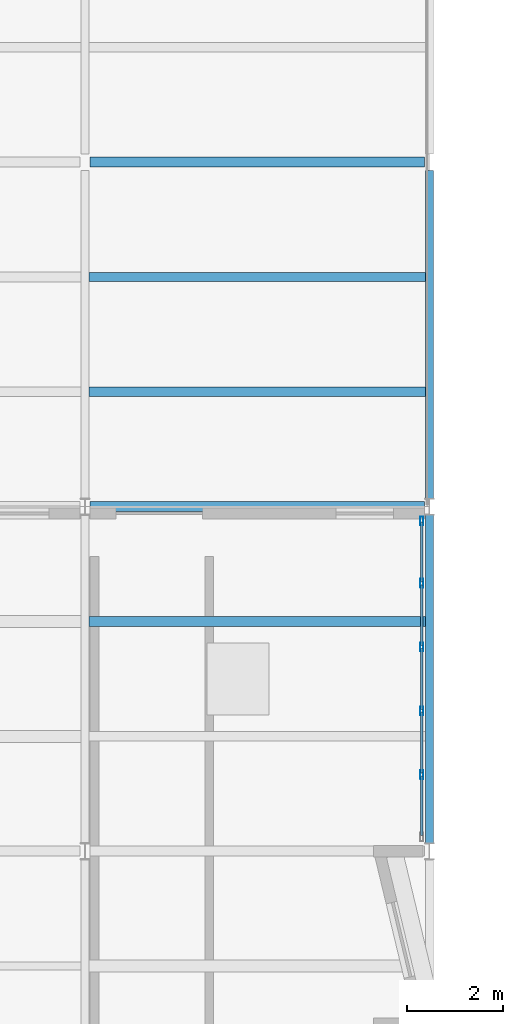
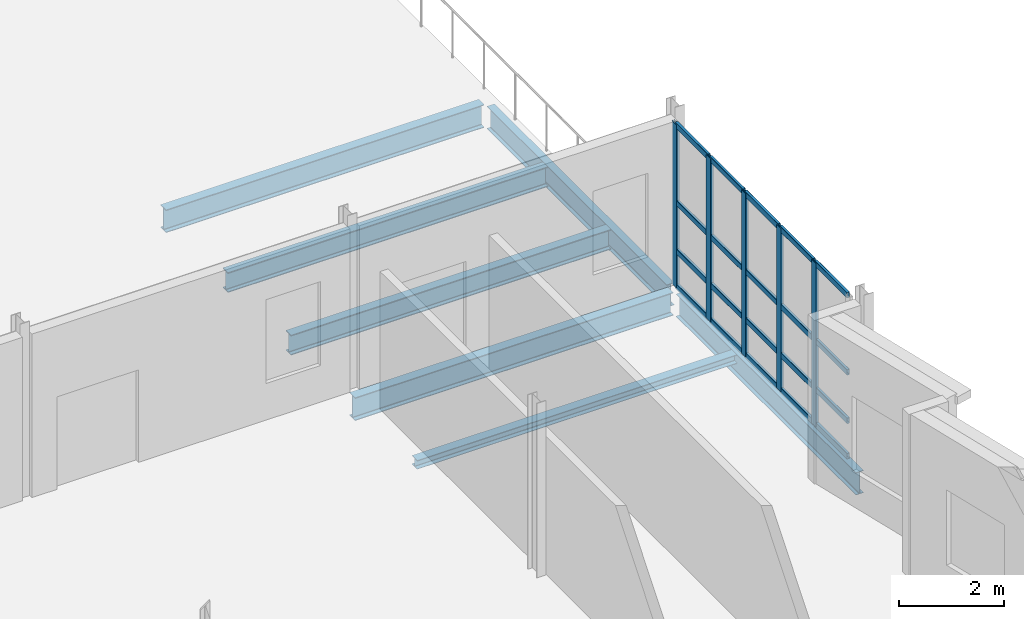
# One storey, part 18 of 33: 25 members, 7 beams, 1 element without a shape of its own.
"""IFC4 building model written with IfcOpenShell, lengths in metres."""

from ifc_helpers import new_model, si_unit, direction, frame, origin, origin_2d, place, context, subcontext, project, spatial, hollow_rectangle, i_section, extrude, material, material_profile, profile_set, type_object, element, aggregate, save


model = new_model("IFC4")

# Units and contexts
model_context = context("Model", 3, precision=1e-05, world=origin(), true_north=direction((0.0, 1.0)))
body_context = subcontext(model_context, "Body", "Model", "MODEL_VIEW")
ifc_project = project(units=[si_unit("LENGTHUNIT", "METRE"), si_unit("AREAUNIT", "SQUARE_METRE"), si_unit("VOLUMEUNIT", "CUBIC_METRE"), si_unit("PLANEANGLEUNIT", "RADIAN"), si_unit("MASSUNIT", "GRAM", prefix="KILO")], contexts=[model_context])

# Site, building, storey
site_placement = place(None, origin())
site = spatial("IfcSite", under=ifc_project, at=site_placement, CompositionType="ELEMENT")
building_placement = place(site_placement, origin())
building = spatial("IfcBuilding", under=site, at=building_placement, Name="Kalmorath City Hall", CompositionType="ELEMENT")
storey_placement = place(building_placement, frame((0.0, 0.0, 22.949951171875)))
storey = spatial("IfcBuildingStorey", under=building, at=storey_placement, Name="L05", CompositionType="ELEMENT", Elevation=22.949951171875)

# Curtain wall, members
ifc_material_1 = material(Name="Anodised aluminium and laminated glass", Category="aluminium")
curtain_wall_type = type_object("IfcCurtainWallType", Name="Unitised hurricane curtain wall 6670x3800 M1450", PredefinedType="NOTDEFINED", material=ifc_material_1)
curtain_wall_placement = place(storey_placement, origin())
curtain_wall = element("IfcCurtainWall", 1, at=curtain_wall_placement, inside=storey, type_object=curtain_wall_type, Name="L05 curtain wall CW-67X38M14 #170", PredefinedType="NOTDEFINED")
ifc_material_2 = material(Name="Anodised aluminium framing", Category="aluminium")
ifc_material_profile_1 = material_profile(ifc_material_2, hollow_rectangle(XDim=0.06494140625, YDim=0.179931640625, WallThickness=0.00390625, InnerFilletRadius=0.00390625, OuterFilletRadius=0.008056640625, at=origin_2d()), Name="ALU-MUL-180X65X4")
ifc_profile_set_1 = profile_set([ifc_material_profile_1], Name="Anodised aluminium framing")
member_type_1 = type_object("IfcMemberType", Name="Curtain-wall courtyard mullion 180x65", PredefinedType="MULLION", material=ifc_profile_set_1)
member_1_placement = place(storey_placement, frame((21.43994140625, 86.1025390625, 0.0), z_axis=(0.0, 0.0, 1.0), x_axis=(1.0, 0.0, 0.0)))
member_1 = element("IfcMember", 2, at=member_1_placement, type_object=member_type_1, Name="CW-67X38M14 mullion 1", PredefinedType="MULLION", context=body_context, shape_type="SweptSolid", body=[
    extrude(hollow_rectangle(XDim=0.06494140625, YDim=0.179931640625, WallThickness=0.00390625, InnerFilletRadius=0.00390625, OuterFilletRadius=0.008056640625, at=origin_2d()), origin(), (0.0, 0.0, 1.0), 3.800048828125),
])
member_2_placement = place(storey_placement, frame((21.43994140625, 84.801025390625, 0.0), z_axis=(0.0, 0.0, 1.0), x_axis=(1.0, 0.0, 0.0)))
member_2 = element("IfcMember", 3, at=member_2_placement, type_object=member_type_1, Name="CW-67X38M14 mullion 2", PredefinedType="MULLION", context=body_context, shape_type="SweptSolid", body=[
    extrude(hollow_rectangle(XDim=0.06494140625, YDim=0.179931640625, WallThickness=0.00390625, InnerFilletRadius=0.00390625, OuterFilletRadius=0.008056640625, at=origin_2d()), origin(), (0.0, 0.0, 1.0), 3.800048828125),
])
member_3_placement = place(storey_placement, frame((21.43994140625, 83.467041015625, 0.0), z_axis=(0.0, 0.0, 1.0), x_axis=(1.0, 0.0, 0.0)))
member_3 = element("IfcMember", 4, at=member_3_placement, type_object=member_type_1, Name="CW-67X38M14 mullion 3", PredefinedType="MULLION", context=body_context, shape_type="SweptSolid", body=[
    extrude(hollow_rectangle(XDim=0.06494140625, YDim=0.179931640625, WallThickness=0.00390625, InnerFilletRadius=0.00390625, OuterFilletRadius=0.008056640625, at=origin_2d()), origin(), (0.0, 0.0, 1.0), 3.800048828125),
])
member_4_placement = place(storey_placement, frame((21.43994140625, 82.133056640625, 0.0), z_axis=(0.0, 0.0, 1.0), x_axis=(1.0, 0.0, 0.0)))
member_4 = element("IfcMember", 5, at=member_4_placement, type_object=member_type_1, Name="CW-67X38M14 mullion 4", PredefinedType="MULLION", context=body_context, shape_type="SweptSolid", body=[
    extrude(hollow_rectangle(XDim=0.06494140625, YDim=0.179931640625, WallThickness=0.00390625, InnerFilletRadius=0.00390625, OuterFilletRadius=0.008056640625, at=origin_2d()), origin(), (0.0, 0.0, 1.0), 3.800048828125),
])
member_5_placement = place(storey_placement, frame((21.43994140625, 80.799072265625, 0.0), z_axis=(0.0, 0.0, 1.0), x_axis=(1.0, 0.0, 0.0)))
member_5 = element("IfcMember", 6, at=member_5_placement, type_object=member_type_1, Name="CW-67X38M14 mullion 5", PredefinedType="MULLION", context=body_context, shape_type="SweptSolid", body=[
    extrude(hollow_rectangle(XDim=0.06494140625, YDim=0.179931640625, WallThickness=0.00390625, InnerFilletRadius=0.00390625, OuterFilletRadius=0.008056640625, at=origin_2d()), origin(), (0.0, 0.0, 1.0), 3.800048828125),
])
ifc_material_3 = material(Name="Anodised aluminium framing", Category="aluminium")
ifc_material_profile_2 = material_profile(ifc_material_3, hollow_rectangle(XDim=0.06005859375, YDim=0.1298828125, WallThickness=0.00341796875, InnerFilletRadius=0.00341796875, OuterFilletRadius=0.007080078125, at=origin_2d()), Name="ALU-TRN-130X60X3.5")
ifc_profile_set_2 = profile_set([ifc_material_profile_2], Name="Anodised aluminium framing")
member_type_2 = type_object("IfcMemberType", Name="Curtain-wall courtyard transom 130x60", PredefinedType="USERDEFINED", material=ifc_profile_set_2)
member_6_placement = place(storey_placement, frame((21.43994140625, 86.070068359375, 0.030029296875), z_axis=(0.0, -1.0, 0.0), x_axis=(1.0, 0.0, 0.0)))
member_6 = element("IfcMember", 7, at=member_6_placement, type_object=member_type_2, Name="CW-67X38M14 transom 1.1", ObjectType="TRANSOM", PredefinedType="USERDEFINED", context=body_context, shape_type="SweptSolid", body=[
    extrude(hollow_rectangle(XDim=0.06005859375, YDim=0.1298828125, WallThickness=0.00341796875, InnerFilletRadius=0.00341796875, OuterFilletRadius=0.007080078125, at=origin_2d()), origin(), (0.0, 0.0, 1.0), 1.236572265625),
])
member_7_placement = place(storey_placement, frame((21.43994140625, 86.070068359375, 0.85009765625), z_axis=(0.0, -1.0, 0.0), x_axis=(1.0, 0.0, 0.0)))
member_7 = element("IfcMember", 8, at=member_7_placement, type_object=member_type_2, Name="CW-67X38M14 transom 1.2", ObjectType="TRANSOM", PredefinedType="USERDEFINED", context=body_context, shape_type="SweptSolid", body=[
    extrude(hollow_rectangle(XDim=0.06005859375, YDim=0.1298828125, WallThickness=0.00341796875, InnerFilletRadius=0.00341796875, OuterFilletRadius=0.007080078125, at=origin_2d()), origin(), (0.0, 0.0, 1.0), 1.236572265625),
])
member_8_placement = place(storey_placement, frame((21.43994140625, 86.070068359375, 1.97607421875), z_axis=(0.0, -1.0, 0.0), x_axis=(1.0, 0.0, 0.0)))
member_8 = element("IfcMember", 9, at=member_8_placement, type_object=member_type_2, Name="CW-67X38M14 transom 1.3", ObjectType="TRANSOM", PredefinedType="USERDEFINED", context=body_context, shape_type="SweptSolid", body=[
    extrude(hollow_rectangle(XDim=0.06005859375, YDim=0.1298828125, WallThickness=0.00341796875, InnerFilletRadius=0.00341796875, OuterFilletRadius=0.007080078125, at=origin_2d()), origin(), (0.0, 0.0, 1.0), 1.236572265625),
])
member_9_placement = place(storey_placement, frame((21.43994140625, 86.070068359375, 3.77001953125), z_axis=(0.0, -1.0, 0.0), x_axis=(1.0, 0.0, 0.0)))
member_9 = element("IfcMember", 10, at=member_9_placement, type_object=member_type_2, Name="CW-67X38M14 transom 1.4", ObjectType="TRANSOM", PredefinedType="USERDEFINED", context=body_context, shape_type="SweptSolid", body=[
    extrude(hollow_rectangle(XDim=0.06005859375, YDim=0.1298828125, WallThickness=0.00341796875, InnerFilletRadius=0.00341796875, OuterFilletRadius=0.007080078125, at=origin_2d()), origin(), (0.0, 0.0, 1.0), 1.236572265625),
])
member_10_placement = place(storey_placement, frame((21.43994140625, 84.7685546875, 0.030029296875), z_axis=(0.0, -1.0, 0.0), x_axis=(1.0, 0.0, 0.0)))
member_10 = element("IfcMember", 11, at=member_10_placement, type_object=member_type_2, Name="CW-67X38M14 transom 2.1", ObjectType="TRANSOM", PredefinedType="USERDEFINED", context=body_context, shape_type="SweptSolid", body=[
    extrude(hollow_rectangle(XDim=0.06005859375, YDim=0.1298828125, WallThickness=0.00341796875, InnerFilletRadius=0.00341796875, OuterFilletRadius=0.007080078125, at=origin_2d()), origin(), (0.0, 0.0, 1.0), 1.26904296875),
])
member_11_placement = place(storey_placement, frame((21.43994140625, 84.7685546875, 0.85009765625), z_axis=(0.0, -1.0, 0.0), x_axis=(1.0, 0.0, 0.0)))
member_11 = element("IfcMember", 12, at=member_11_placement, type_object=member_type_2, Name="CW-67X38M14 transom 2.2", ObjectType="TRANSOM", PredefinedType="USERDEFINED", context=body_context, shape_type="SweptSolid", body=[
    extrude(hollow_rectangle(XDim=0.06005859375, YDim=0.1298828125, WallThickness=0.00341796875, InnerFilletRadius=0.00341796875, OuterFilletRadius=0.007080078125, at=origin_2d()), origin(), (0.0, 0.0, 1.0), 1.26904296875),
])
member_12_placement = place(storey_placement, frame((21.43994140625, 84.7685546875, 1.97607421875), z_axis=(0.0, -1.0, 0.0), x_axis=(1.0, 0.0, 0.0)))
member_12 = element("IfcMember", 13, at=member_12_placement, type_object=member_type_2, Name="CW-67X38M14 transom 2.3", ObjectType="TRANSOM", PredefinedType="USERDEFINED", context=body_context, shape_type="SweptSolid", body=[
    extrude(hollow_rectangle(XDim=0.06005859375, YDim=0.1298828125, WallThickness=0.00341796875, InnerFilletRadius=0.00341796875, OuterFilletRadius=0.007080078125, at=origin_2d()), origin(), (0.0, 0.0, 1.0), 1.26904296875),
])
member_13_placement = place(storey_placement, frame((21.43994140625, 84.7685546875, 3.77001953125), z_axis=(0.0, -1.0, 0.0), x_axis=(1.0, 0.0, 0.0)))
member_13 = element("IfcMember", 14, at=member_13_placement, type_object=member_type_2, Name="CW-67X38M14 transom 2.4", ObjectType="TRANSOM", PredefinedType="USERDEFINED", context=body_context, shape_type="SweptSolid", body=[
    extrude(hollow_rectangle(XDim=0.06005859375, YDim=0.1298828125, WallThickness=0.00341796875, InnerFilletRadius=0.00341796875, OuterFilletRadius=0.007080078125, at=origin_2d()), origin(), (0.0, 0.0, 1.0), 1.26904296875),
])
member_14_placement = place(storey_placement, frame((21.43994140625, 83.4345703125, 0.030029296875), z_axis=(0.0, -1.0, 0.0), x_axis=(1.0, 0.0, 0.0)))
member_14 = element("IfcMember", 15, at=member_14_placement, type_object=member_type_2, Name="CW-67X38M14 transom 3.1", ObjectType="TRANSOM", PredefinedType="USERDEFINED", context=body_context, shape_type="SweptSolid", body=[
    extrude(hollow_rectangle(XDim=0.06005859375, YDim=0.1298828125, WallThickness=0.00341796875, InnerFilletRadius=0.00341796875, OuterFilletRadius=0.007080078125, at=origin_2d()), origin(), (0.0, 0.0, 1.0), 1.26904296875),
])
member_15_placement = place(storey_placement, frame((21.43994140625, 83.4345703125, 0.85009765625), z_axis=(0.0, -1.0, 0.0), x_axis=(1.0, 0.0, 0.0)))
member_15 = element("IfcMember", 16, at=member_15_placement, type_object=member_type_2, Name="CW-67X38M14 transom 3.2", ObjectType="TRANSOM", PredefinedType="USERDEFINED", context=body_context, shape_type="SweptSolid", body=[
    extrude(hollow_rectangle(XDim=0.06005859375, YDim=0.1298828125, WallThickness=0.00341796875, InnerFilletRadius=0.00341796875, OuterFilletRadius=0.007080078125, at=origin_2d()), origin(), (0.0, 0.0, 1.0), 1.26904296875),
])
member_16_placement = place(storey_placement, frame((21.43994140625, 83.4345703125, 1.97607421875), z_axis=(0.0, -1.0, 0.0), x_axis=(1.0, 0.0, 0.0)))
member_16 = element("IfcMember", 17, at=member_16_placement, type_object=member_type_2, Name="CW-67X38M14 transom 3.3", ObjectType="TRANSOM", PredefinedType="USERDEFINED", context=body_context, shape_type="SweptSolid", body=[
    extrude(hollow_rectangle(XDim=0.06005859375, YDim=0.1298828125, WallThickness=0.00341796875, InnerFilletRadius=0.00341796875, OuterFilletRadius=0.007080078125, at=origin_2d()), origin(), (0.0, 0.0, 1.0), 1.26904296875),
])
member_17_placement = place(storey_placement, frame((21.43994140625, 83.4345703125, 3.77001953125), z_axis=(0.0, -1.0, 0.0), x_axis=(1.0, 0.0, 0.0)))
member_17 = element("IfcMember", 18, at=member_17_placement, type_object=member_type_2, Name="CW-67X38M14 transom 3.4", ObjectType="TRANSOM", PredefinedType="USERDEFINED", context=body_context, shape_type="SweptSolid", body=[
    extrude(hollow_rectangle(XDim=0.06005859375, YDim=0.1298828125, WallThickness=0.00341796875, InnerFilletRadius=0.00341796875, OuterFilletRadius=0.007080078125, at=origin_2d()), origin(), (0.0, 0.0, 1.0), 1.26904296875),
])
member_18_placement = place(storey_placement, frame((21.43994140625, 82.1005859375, 0.030029296875), z_axis=(0.0, -1.0, 0.0), x_axis=(1.0, 0.0, 0.0)))
member_18 = element("IfcMember", 19, at=member_18_placement, type_object=member_type_2, Name="CW-67X38M14 transom 4.1", ObjectType="TRANSOM", PredefinedType="USERDEFINED", context=body_context, shape_type="SweptSolid", body=[
    extrude(hollow_rectangle(XDim=0.06005859375, YDim=0.1298828125, WallThickness=0.00341796875, InnerFilletRadius=0.00341796875, OuterFilletRadius=0.007080078125, at=origin_2d()), origin(), (0.0, 0.0, 1.0), 1.26904296875),
])
member_19_placement = place(storey_placement, frame((21.43994140625, 82.1005859375, 0.85009765625), z_axis=(0.0, -1.0, 0.0), x_axis=(1.0, 0.0, 0.0)))
member_19 = element("IfcMember", 20, at=member_19_placement, type_object=member_type_2, Name="CW-67X38M14 transom 4.2", ObjectType="TRANSOM", PredefinedType="USERDEFINED", context=body_context, shape_type="SweptSolid", body=[
    extrude(hollow_rectangle(XDim=0.06005859375, YDim=0.1298828125, WallThickness=0.00341796875, InnerFilletRadius=0.00341796875, OuterFilletRadius=0.007080078125, at=origin_2d()), origin(), (0.0, 0.0, 1.0), 1.26904296875),
])
member_20_placement = place(storey_placement, frame((21.43994140625, 82.1005859375, 1.97607421875), z_axis=(0.0, -1.0, 0.0), x_axis=(1.0, 0.0, 0.0)))
member_20 = element("IfcMember", 21, at=member_20_placement, type_object=member_type_2, Name="CW-67X38M14 transom 4.3", ObjectType="TRANSOM", PredefinedType="USERDEFINED", context=body_context, shape_type="SweptSolid", body=[
    extrude(hollow_rectangle(XDim=0.06005859375, YDim=0.1298828125, WallThickness=0.00341796875, InnerFilletRadius=0.00341796875, OuterFilletRadius=0.007080078125, at=origin_2d()), origin(), (0.0, 0.0, 1.0), 1.26904296875),
])
member_21_placement = place(storey_placement, frame((21.43994140625, 82.1005859375, 3.77001953125), z_axis=(0.0, -1.0, 0.0), x_axis=(1.0, 0.0, 0.0)))
member_21 = element("IfcMember", 22, at=member_21_placement, type_object=member_type_2, Name="CW-67X38M14 transom 4.4", ObjectType="TRANSOM", PredefinedType="USERDEFINED", context=body_context, shape_type="SweptSolid", body=[
    extrude(hollow_rectangle(XDim=0.06005859375, YDim=0.1298828125, WallThickness=0.00341796875, InnerFilletRadius=0.00341796875, OuterFilletRadius=0.007080078125, at=origin_2d()), origin(), (0.0, 0.0, 1.0), 1.26904296875),
])
member_22_placement = place(storey_placement, frame((21.43994140625, 80.7666015625, 0.030029296875), z_axis=(0.0, -1.0, 0.0), x_axis=(1.0, 0.0, 0.0)))
member_22 = element("IfcMember", 23, at=member_22_placement, type_object=member_type_2, Name="CW-67X38M14 transom 5.1", ObjectType="TRANSOM", PredefinedType="USERDEFINED", context=body_context, shape_type="SweptSolid", body=[
    extrude(hollow_rectangle(XDim=0.06005859375, YDim=0.1298828125, WallThickness=0.00341796875, InnerFilletRadius=0.00341796875, OuterFilletRadius=0.007080078125, at=origin_2d()), origin(), (0.0, 0.0, 1.0), 1.236572265625),
])
member_23_placement = place(storey_placement, frame((21.43994140625, 80.7666015625, 0.85009765625), z_axis=(0.0, -1.0, 0.0), x_axis=(1.0, 0.0, 0.0)))
member_23 = element("IfcMember", 24, at=member_23_placement, type_object=member_type_2, Name="CW-67X38M14 transom 5.2", ObjectType="TRANSOM", PredefinedType="USERDEFINED", context=body_context, shape_type="SweptSolid", body=[
    extrude(hollow_rectangle(XDim=0.06005859375, YDim=0.1298828125, WallThickness=0.00341796875, InnerFilletRadius=0.00341796875, OuterFilletRadius=0.007080078125, at=origin_2d()), origin(), (0.0, 0.0, 1.0), 1.236572265625),
])
member_24_placement = place(storey_placement, frame((21.43994140625, 80.7666015625, 1.97607421875), z_axis=(0.0, -1.0, 0.0), x_axis=(1.0, 0.0, 0.0)))
member_24 = element("IfcMember", 25, at=member_24_placement, type_object=member_type_2, Name="CW-67X38M14 transom 5.3", ObjectType="TRANSOM", PredefinedType="USERDEFINED", context=body_context, shape_type="SweptSolid", body=[
    extrude(hollow_rectangle(XDim=0.06005859375, YDim=0.1298828125, WallThickness=0.00341796875, InnerFilletRadius=0.00341796875, OuterFilletRadius=0.007080078125, at=origin_2d()), origin(), (0.0, 0.0, 1.0), 1.236572265625),
])
member_25_placement = place(storey_placement, frame((21.43994140625, 80.7666015625, 3.77001953125), z_axis=(0.0, -1.0, 0.0), x_axis=(1.0, 0.0, 0.0)))
member_25 = element("IfcMember", 26, at=member_25_placement, type_object=member_type_2, Name="CW-67X38M14 transom 5.4", ObjectType="TRANSOM", PredefinedType="USERDEFINED", context=body_context, shape_type="SweptSolid", body=[
    extrude(hollow_rectangle(XDim=0.06005859375, YDim=0.1298828125, WallThickness=0.00341796875, InnerFilletRadius=0.00341796875, OuterFilletRadius=0.007080078125, at=origin_2d()), origin(), (0.0, 0.0, 1.0), 1.236572265625),
])
aggregate(curtain_wall, [member_1, member_2, member_3, member_4, member_5, member_6, member_7, member_8, member_9, member_10, member_11, member_12, member_13, member_14, member_15, member_16, member_17, member_18, member_19, member_20, member_21, member_22, member_23, member_24, member_25])

# Beams
ifc_material_4 = material(Name="Steel ASTM A992 Grade 50", Category="steel")
ifc_material_profile_3 = material_profile(ifc_material_4, i_section(OverallWidth=0.193115234375, OverallDepth=0.466064453125, WebThickness=0.011474609375, FlangeThickness=0.01904296875, FilletRadius=0.013916015625, at=origin_2d()), Name="W18X65")
ifc_profile_set_3 = profile_set([ifc_material_profile_3], Name="Steel ASTM A992 Grade 50")
beam_type_1 = type_object("IfcBeamType", Name="Steel composite joist W18X65", PredefinedType="JOIST", material=ifc_profile_set_3)
for number, where, z_axis, x_axis, name in (
    (27, (14.4833984375, 88.800048828125, -0.52685546875), (1.0, 0.0, 0.0), (0.0, 1.0, 0.0), "L05 joist SJ1 3.13.1"),
    (28, (14.4833984375, 91.199951171875, -0.52685546875), (1.0, 0.0, 0.0), (0.0, 1.0, 0.0), "L05 joist SJ1 3.13.2"),
):
    element("IfcBeam", number, at=place(storey_placement, frame(where, z_axis=z_axis, x_axis=x_axis)), inside=storey, type_object=beam_type_1, Name=name, PredefinedType="JOIST", context=body_context, shape_type="SweptSolid", body=[
        extrude(i_section(OverallWidth=0.193115234375, OverallDepth=0.466064453125, WebThickness=0.011474609375, FlangeThickness=0.01904296875, FilletRadius=0.013916015625, at=origin_2d()), origin(), (0.0, 0.0, 1.0), 7.0341796875),
    ])
ifc_material_5 = material(Name="Steel ASTM A992 Grade 50", Category="steel")
ifc_material_profile_4 = material_profile(ifc_material_5, i_section(OverallWidth=0.202880859375, OverallDepth=0.202880859375, WebThickness=0.007080078125, FlangeThickness=0.010986328125, FilletRadius=0.010986328125, at=origin_2d()), Name="W8X31")
ifc_profile_set_4 = profile_set([ifc_material_profile_4], Name="Steel ASTM A992 Grade 50")
beam_type_2 = type_object("IfcBeamType", Name="Steel edge trimmer W8X31", PredefinedType="LINTEL", material=ifc_profile_set_4)
beam_placement = place(storey_placement, frame((14.4833984375, 84.0, -0.3955078125), z_axis=(1.0, 0.0, 0.0), x_axis=(0.0, 1.0, 0.0)))
element("IfcBeam", 29, at=beam_placement, inside=storey, type_object=beam_type_2, Name="L05 joist SJ16 3.12.2", PredefinedType="LINTEL", context=body_context, shape_type="SweptSolid", body=[
    extrude(i_section(OverallWidth=0.202880859375, OverallDepth=0.202880859375, WebThickness=0.007080078125, FlangeThickness=0.010986328125, FilletRadius=0.010986328125, at=origin_2d()), origin(), (0.0, 0.0, 1.0), 7.0341796875),
])
ifc_material_6 = material(Name="Steel ASTM A992 Grade 50", Category="steel")
ifc_material_profile_5 = material_profile(ifc_material_6, i_section(OverallWidth=0.208984375, OverallDepth=0.532958984375, WebThickness=0.01025390625, FlangeThickness=0.015625, FilletRadius=0.014892578125, at=origin_2d()), Name="W21X62")
ifc_profile_set_5 = profile_set([ifc_material_profile_5], Name="Steel ASTM A992 Grade 50")
beam_type_3 = type_object("IfcBeamType", Name="Steel floor beam W21X62", PredefinedType="BEAM", material=ifc_profile_set_5)
for number, where, z_axis, x_axis, name in (
    (30, (14.501953125, 86.39990234375, -0.560546875), (1.0, 0.0, 0.0), (0.0, 1.0, 0.0), "L05 girder SB2 X3-4/13"),
    (31, (14.501953125, 93.60009765625, -0.560546875), (1.0, 0.0, 0.0), (0.0, 1.0, 0.0), "L05 girder SB2 X3-4/14"),
):
    element("IfcBeam", number, at=place(storey_placement, frame(where, z_axis=z_axis, x_axis=x_axis)), inside=storey, type_object=beam_type_3, Name=name, PredefinedType="BEAM", context=body_context, shape_type="SweptSolid", body=[
        extrude(i_section(OverallWidth=0.208984375, OverallDepth=0.532958984375, WebThickness=0.01025390625, FlangeThickness=0.015625, FilletRadius=0.014892578125, at=origin_2d()), origin(), (0.0, 0.0, 1.0), 6.99609375),
    ])
ifc_material_7 = material(Name="Steel ASTM A992 Grade 50", Category="steel")
ifc_material_profile_6 = material_profile(ifc_material_7, i_section(OverallWidth=0.1650390625, OverallDepth=0.52490234375, WebThickness=0.0087890625, FlangeThickness=0.011474609375, FilletRadius=0.014892578125, at=origin_2d()), Name="W21X44")
ifc_profile_set_6 = profile_set([ifc_material_profile_6], Name="Steel ASTM A992 Grade 50")
beam_type_4 = type_object("IfcBeamType", Name="Steel spandrel beam W21X44", PredefinedType="SPANDREL", material=ifc_profile_set_6)
for number, where, z_axis, x_axis, name in (
    (32, (21.60009765625, 79.375, -0.556396484375), (0.0, 1.0, 0.0), (-1.0, 0.0, 0.0), "L05 girder SB4 Y4/12-13"),
    (33, (21.60009765625, 86.574951171875, -0.556396484375), (0.0, 1.0, 0.0), (-1.0, 0.0, 0.0), "L05 girder SB4 Y4/13-14"),
):
    element("IfcBeam", number, at=place(storey_placement, frame(where, z_axis=z_axis, x_axis=x_axis)), inside=storey, type_object=beam_type_4, Name=name, PredefinedType="SPANDREL", context=body_context, shape_type="SweptSolid", body=[
        extrude(i_section(OverallWidth=0.1650390625, OverallDepth=0.52490234375, WebThickness=0.0087890625, FlangeThickness=0.011474609375, FilletRadius=0.014892578125, at=origin_2d()), origin(), (0.0, 0.0, 1.0), 6.85009765625),
    ])

save(model, "model.ifc")
